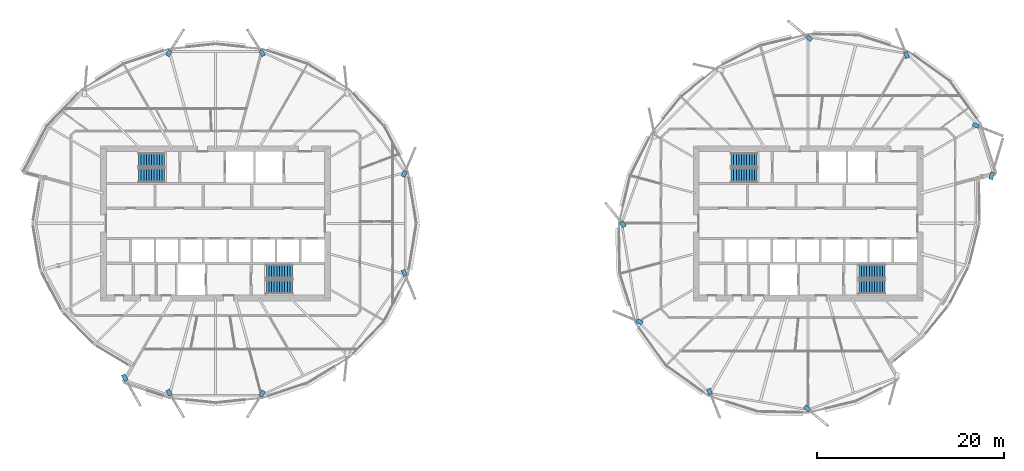
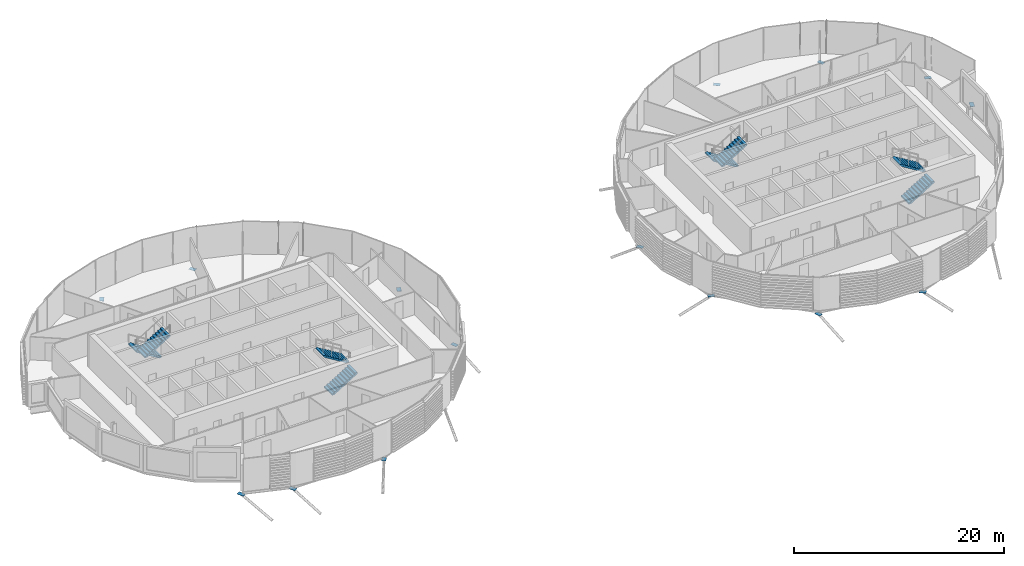
# One storey, part 24 of 36: 15 discrete accessories, 8 stair flights, 4 elements without a shape of their own.
"""IFC4 building model written with IfcOpenShell, lengths in metres."""

from ifc_helpers import new_model, si_unit, direction, frame, origin, origin_2d, place, context, subcontext, project, spatial, polyline, rectangle, outline, extrude, material, material_profile, profile_set, type_object, element, aggregate, save


model = new_model("IFC4")

# Units and contexts
model_context = context("Model", 3, precision=1e-05, world=origin(), true_north=direction((0.0, 1.0)))
body_context = subcontext(model_context, "Body", "Model", "MODEL_VIEW")
ifc_project = project(units=[si_unit("LENGTHUNIT", "METRE"), si_unit("AREAUNIT", "SQUARE_METRE"), si_unit("VOLUMEUNIT", "CUBIC_METRE"), si_unit("PLANEANGLEUNIT", "RADIAN"), si_unit("MASSUNIT", "GRAM", prefix="KILO")], contexts=[model_context])

# Site, building, storey
site_placement = place(None, origin())
site = spatial("IfcSite", under=ifc_project, at=site_placement, CompositionType="ELEMENT")
building_placement = place(site_placement, origin())
building = spatial("IfcBuilding", under=site, at=building_placement, Name="Rimbun Link Towers", CompositionType="ELEMENT")
storey_placement = place(building_placement, frame((0.0, 0.0, 200.699951171875)))
storey = spatial("IfcBuildingStorey", under=building, at=storey_placement, Name="L49", CompositionType="ELEMENT", Elevation=200.699951171875)

# Stair, stair flights
ifc_material_1 = material(Name="Concrete C40/50", Category="concrete")
stair_type = type_object("IfcStairType", Name="Exit stair 3800 rise", PredefinedType="HALF_TURN_STAIR", material=ifc_material_1)
stair_1_placement = place(storey_placement, origin())
stair_1 = element("IfcStair", 1, at=stair_1_placement, inside=storey, type_object=stair_type, Name="L49 EXIT STAIR A", PredefinedType="HALF_TURN_STAIR")
ifc_material_2 = material(Name="Concrete C40/50", Category="concrete")
stair_flight_type = type_object("IfcStairFlightType", Name="Exit stair flight 3800 rise", PredefinedType="STRAIGHT", material=ifc_material_2)
stair_flight_1_placement = place(storey_placement, frame((-37.199951171875, 6.800048828125, 0.0), z_axis=(0.0, 0.0, 1.0), x_axis=(-1.0, 0.0, 0.0)))
stair_flight_1 = element("IfcStairFlight", 2, at=stair_flight_1_placement, type_object=stair_flight_type, Name="ST1 flight 1", NumberOfRisers=11, NumberOfTreads=10, PredefinedType="STRAIGHT", RiserHeight=0.172727273, TreadLength=0.28, context=body_context, shape_type="SweptSolid", body=[
    extrude(outline(polyline([(0.0, 0.0), (0.0, 0.172607421875), (0.280029296875, 0.172607421875), (0.280029296875, 0.345458984375), (0.56005859375, 0.345458984375), (0.56005859375, 0.51806640625), (0.840087890625, 0.51806640625), (0.840087890625, 0.69091796875), (1.1201171875, 0.69091796875), (1.1201171875, 0.863525390625), (1.39990234375, 0.863525390625), (1.39990234375, 1.036376953125), (1.679931640625, 1.036376953125), (1.679931640625, 1.208984375), (1.9599609375, 1.208984375), (1.9599609375, 1.3818359375), (2.239990234375, 1.3818359375), (2.239990234375, 1.554443359375), (2.52001953125, 1.554443359375), (2.52001953125, 1.727294921875), (2.800048828125, 1.727294921875), (2.800048828125, 1.89990234375), (2.800048828125, 1.551025390625), (0.280029296875, 0.0), (0.0, 0.0)])), frame((0.0, 0.75, 0.0), z_axis=(0.0, -1.0, 0.0), x_axis=(1.0, 0.0, 0.0)), (0.0, 0.0, 1.0), 1.5),
])
stair_flight_2_placement = place(storey_placement, frame((-40.0, 5.14990234375, 1.900146484375), z_axis=(0.0, 0.0, 1.0), x_axis=(1.0, 0.0, 0.0)))
stair_flight_2 = element("IfcStairFlight", 3, at=stair_flight_2_placement, type_object=stair_flight_type, Name="ST1 flight 2", NumberOfRisers=11, NumberOfTreads=10, PredefinedType="STRAIGHT", RiserHeight=0.172727273, TreadLength=0.28, context=body_context, shape_type="SweptSolid", body=[
    extrude(outline(polyline([(0.0, 0.0), (0.0, 0.172607421875), (0.280029296875, 0.172607421875), (0.280029296875, 0.345458984375), (0.56005859375, 0.345458984375), (0.56005859375, 0.51806640625), (0.840087890625, 0.51806640625), (0.840087890625, 0.69091796875), (1.1201171875, 0.69091796875), (1.1201171875, 0.863525390625), (1.39990234375, 0.863525390625), (1.39990234375, 1.036376953125), (1.679931640625, 1.036376953125), (1.679931640625, 1.208984375), (1.9599609375, 1.208984375), (1.9599609375, 1.3818359375), (2.239990234375, 1.3818359375), (2.239990234375, 1.554443359375), (2.52001953125, 1.554443359375), (2.52001953125, 1.727294921875), (2.800048828125, 1.727294921875), (2.800048828125, 1.89990234375), (2.800048828125, 1.551025390625), (0.280029296875, 0.0), (0.0, 0.0)])), frame((0.0, 0.75, 0.0), z_axis=(0.0, -1.0, 0.0), x_axis=(1.0, 0.0, 0.0)), (0.0, 0.0, 1.0), 1.5),
])
aggregate(stair_1, [stair_flight_1, stair_flight_2])

stair_2_placement = place(storey_placement, origin())
stair_2 = element("IfcStair", 4, at=stair_2_placement, inside=storey, type_object=stair_type, Name="L49 EXIT STAIR B", PredefinedType="HALF_TURN_STAIR")
stair_flight_3_placement = place(storey_placement, frame((-26.300048828125, -6.800048828125, 0.0), z_axis=(0.0, 0.0, 1.0), x_axis=(1.0, 0.0, 0.0)))
stair_flight_3 = element("IfcStairFlight", 5, at=stair_flight_3_placement, type_object=stair_flight_type, Name="ST2 flight 1", NumberOfRisers=11, NumberOfTreads=10, PredefinedType="STRAIGHT", RiserHeight=0.172727273, TreadLength=0.28, context=body_context, shape_type="SweptSolid", body=[
    extrude(outline(polyline([(0.0, 0.0), (0.0, 0.172607421875), (0.280029296875, 0.172607421875), (0.280029296875, 0.345458984375), (0.56005859375, 0.345458984375), (0.56005859375, 0.51806640625), (0.840087890625, 0.51806640625), (0.840087890625, 0.69091796875), (1.1201171875, 0.69091796875), (1.1201171875, 0.863525390625), (1.39990234375, 0.863525390625), (1.39990234375, 1.036376953125), (1.679931640625, 1.036376953125), (1.679931640625, 1.208984375), (1.9599609375, 1.208984375), (1.9599609375, 1.3818359375), (2.239990234375, 1.3818359375), (2.239990234375, 1.554443359375), (2.52001953125, 1.554443359375), (2.52001953125, 1.727294921875), (2.800048828125, 1.727294921875), (2.800048828125, 1.89990234375), (2.800048828125, 1.551025390625), (0.280029296875, 0.0), (0.0, 0.0)])), frame((0.0, 0.75, 0.0), z_axis=(0.0, -1.0, 0.0), x_axis=(1.0, 0.0, 0.0)), (0.0, 0.0, 1.0), 1.5),
])
stair_flight_4_placement = place(storey_placement, frame((-23.5, -5.14990234375, 1.900146484375), z_axis=(0.0, 0.0, 1.0), x_axis=(-1.0, 0.0, 0.0)))
stair_flight_4 = element("IfcStairFlight", 6, at=stair_flight_4_placement, type_object=stair_flight_type, Name="ST2 flight 2", NumberOfRisers=11, NumberOfTreads=10, PredefinedType="STRAIGHT", RiserHeight=0.172727273, TreadLength=0.28, context=body_context, shape_type="SweptSolid", body=[
    extrude(outline(polyline([(0.0, 0.0), (0.0, 0.172607421875), (0.280029296875, 0.172607421875), (0.280029296875, 0.345458984375), (0.56005859375, 0.345458984375), (0.56005859375, 0.51806640625), (0.840087890625, 0.51806640625), (0.840087890625, 0.69091796875), (1.1201171875, 0.69091796875), (1.1201171875, 0.863525390625), (1.39990234375, 0.863525390625), (1.39990234375, 1.036376953125), (1.679931640625, 1.036376953125), (1.679931640625, 1.208984375), (1.9599609375, 1.208984375), (1.9599609375, 1.3818359375), (2.239990234375, 1.3818359375), (2.239990234375, 1.554443359375), (2.52001953125, 1.554443359375), (2.52001953125, 1.727294921875), (2.800048828125, 1.727294921875), (2.800048828125, 1.89990234375), (2.800048828125, 1.551025390625), (0.280029296875, 0.0), (0.0, 0.0)])), frame((0.0, 0.75, 0.0), z_axis=(0.0, -1.0, 0.0), x_axis=(1.0, 0.0, 0.0)), (0.0, 0.0, 1.0), 1.5),
])
aggregate(stair_2, [stair_flight_3, stair_flight_4])

stair_3_placement = place(storey_placement, origin())
stair_3 = element("IfcStair", 7, at=stair_3_placement, inside=storey, type_object=stair_type, Name="L49 EXIT STAIR A", PredefinedType="HALF_TURN_STAIR")
stair_flight_5_placement = place(storey_placement, frame((26.300048828125, 6.800048828125, 0.0), z_axis=(0.0, 0.0, 1.0), x_axis=(-1.0, 0.0, 0.0)))
stair_flight_5 = element("IfcStairFlight", 8, at=stair_flight_5_placement, type_object=stair_flight_type, Name="ST3 flight 1", NumberOfRisers=11, NumberOfTreads=10, PredefinedType="STRAIGHT", RiserHeight=0.172727273, TreadLength=0.28, context=body_context, shape_type="SweptSolid", body=[
    extrude(outline(polyline([(0.0, 0.0), (0.0, 0.172607421875), (0.280029296875, 0.172607421875), (0.280029296875, 0.345458984375), (0.56005859375, 0.345458984375), (0.56005859375, 0.51806640625), (0.840087890625, 0.51806640625), (0.840087890625, 0.69091796875), (1.1201171875, 0.69091796875), (1.1201171875, 0.863525390625), (1.39990234375, 0.863525390625), (1.39990234375, 1.036376953125), (1.679931640625, 1.036376953125), (1.679931640625, 1.208984375), (1.9599609375, 1.208984375), (1.9599609375, 1.3818359375), (2.239990234375, 1.3818359375), (2.239990234375, 1.554443359375), (2.52001953125, 1.554443359375), (2.52001953125, 1.727294921875), (2.800048828125, 1.727294921875), (2.800048828125, 1.89990234375), (2.800048828125, 1.551025390625), (0.280029296875, 0.0), (0.0, 0.0)])), frame((0.0, 0.75, 0.0), z_axis=(0.0, -1.0, 0.0), x_axis=(1.0, 0.0, 0.0)), (0.0, 0.0, 1.0), 1.5),
])
stair_flight_6_placement = place(storey_placement, frame((23.5, 5.14990234375, 1.900146484375), z_axis=(0.0, 0.0, 1.0), x_axis=(1.0, 0.0, 0.0)))
stair_flight_6 = element("IfcStairFlight", 9, at=stair_flight_6_placement, type_object=stair_flight_type, Name="ST3 flight 2", NumberOfRisers=11, NumberOfTreads=10, PredefinedType="STRAIGHT", RiserHeight=0.172727273, TreadLength=0.28, context=body_context, shape_type="SweptSolid", body=[
    extrude(outline(polyline([(0.0, 0.0), (0.0, 0.172607421875), (0.280029296875, 0.172607421875), (0.280029296875, 0.345458984375), (0.56005859375, 0.345458984375), (0.56005859375, 0.51806640625), (0.840087890625, 0.51806640625), (0.840087890625, 0.69091796875), (1.1201171875, 0.69091796875), (1.1201171875, 0.863525390625), (1.39990234375, 0.863525390625), (1.39990234375, 1.036376953125), (1.679931640625, 1.036376953125), (1.679931640625, 1.208984375), (1.9599609375, 1.208984375), (1.9599609375, 1.3818359375), (2.239990234375, 1.3818359375), (2.239990234375, 1.554443359375), (2.52001953125, 1.554443359375), (2.52001953125, 1.727294921875), (2.800048828125, 1.727294921875), (2.800048828125, 1.89990234375), (2.800048828125, 1.551025390625), (0.280029296875, 0.0), (0.0, 0.0)])), frame((0.0, 0.75, 0.0), z_axis=(0.0, -1.0, 0.0), x_axis=(1.0, 0.0, 0.0)), (0.0, 0.0, 1.0), 1.5),
])
aggregate(stair_3, [stair_flight_5, stair_flight_6])

stair_4_placement = place(storey_placement, origin())
stair_4 = element("IfcStair", 10, at=stair_4_placement, inside=storey, type_object=stair_type, Name="L49 EXIT STAIR B", PredefinedType="HALF_TURN_STAIR")
stair_flight_7_placement = place(storey_placement, frame((37.199951171875, -6.800048828125, 0.0), z_axis=(0.0, 0.0, 1.0), x_axis=(1.0, 0.0, 0.0)))
stair_flight_7 = element("IfcStairFlight", 11, at=stair_flight_7_placement, type_object=stair_flight_type, Name="ST4 flight 1", NumberOfRisers=11, NumberOfTreads=10, PredefinedType="STRAIGHT", RiserHeight=0.172727273, TreadLength=0.28, context=body_context, shape_type="SweptSolid", body=[
    extrude(outline(polyline([(0.0, 0.0), (0.0, 0.172607421875), (0.280029296875, 0.172607421875), (0.280029296875, 0.345458984375), (0.56005859375, 0.345458984375), (0.56005859375, 0.51806640625), (0.840087890625, 0.51806640625), (0.840087890625, 0.69091796875), (1.1201171875, 0.69091796875), (1.1201171875, 0.863525390625), (1.39990234375, 0.863525390625), (1.39990234375, 1.036376953125), (1.679931640625, 1.036376953125), (1.679931640625, 1.208984375), (1.9599609375, 1.208984375), (1.9599609375, 1.3818359375), (2.239990234375, 1.3818359375), (2.239990234375, 1.554443359375), (2.52001953125, 1.554443359375), (2.52001953125, 1.727294921875), (2.800048828125, 1.727294921875), (2.800048828125, 1.89990234375), (2.800048828125, 1.551025390625), (0.280029296875, 0.0), (0.0, 0.0)])), frame((0.0, 0.75, 0.0), z_axis=(0.0, -1.0, 0.0), x_axis=(1.0, 0.0, 0.0)), (0.0, 0.0, 1.0), 1.5),
])
stair_flight_8_placement = place(storey_placement, frame((40.0, -5.14990234375, 1.900146484375), z_axis=(0.0, 0.0, 1.0), x_axis=(-1.0, 0.0, 0.0)))
stair_flight_8 = element("IfcStairFlight", 12, at=stair_flight_8_placement, type_object=stair_flight_type, Name="ST4 flight 2", NumberOfRisers=11, NumberOfTreads=10, PredefinedType="STRAIGHT", RiserHeight=0.172727273, TreadLength=0.28, context=body_context, shape_type="SweptSolid", body=[
    extrude(outline(polyline([(0.0, 0.0), (0.0, 0.172607421875), (0.280029296875, 0.172607421875), (0.280029296875, 0.345458984375), (0.56005859375, 0.345458984375), (0.56005859375, 0.51806640625), (0.840087890625, 0.51806640625), (0.840087890625, 0.69091796875), (1.1201171875, 0.69091796875), (1.1201171875, 0.863525390625), (1.39990234375, 0.863525390625), (1.39990234375, 1.036376953125), (1.679931640625, 1.036376953125), (1.679931640625, 1.208984375), (1.9599609375, 1.208984375), (1.9599609375, 1.3818359375), (2.239990234375, 1.3818359375), (2.239990234375, 1.554443359375), (2.52001953125, 1.554443359375), (2.52001953125, 1.727294921875), (2.800048828125, 1.727294921875), (2.800048828125, 1.89990234375), (2.800048828125, 1.551025390625), (0.280029296875, 0.0), (0.0, 0.0)])), frame((0.0, 0.75, 0.0), z_axis=(0.0, -1.0, 0.0), x_axis=(1.0, 0.0, 0.0)), (0.0, 0.0, 1.0), 1.5),
])
aggregate(stair_4, [stair_flight_7, stair_flight_8])

# Discrete accessories
ifc_material_3 = material(Name="Steel S355J2H", Category="steel")
ifc_material_profile = material_profile(ifc_material_3, rectangle(XDim=0.43310546875, YDim=0.43310546875, at=origin_2d()), Name="PL 433x433")
ifc_profile_set = profile_set([ifc_material_profile], Name="Steel S355J2H")
discrete_accessory_type = type_object("IfcDiscreteAccessoryType", Name="Link head end plate 433X20", PredefinedType="BRACKET", material=ifc_profile_set)
discrete_accessory_1_placement = place(storey_placement, frame((0.0, 0.0, -0.623291015625)))
element("IfcDiscreteAccessory", 13, at=discrete_accessory_1_placement, inside=storey, type_object=discrete_accessory_type, Name="Link head end plate T1 L49 01", PredefinedType="BRACKET", context=body_context, shape_type="SweptSolid", body=[
    extrude(outline(polyline([(-11.452880859375, 4.91162109375), (-11.197509765625, 5.521240234375), (-11.5966796875, 5.688720703125), (-11.852294921875, 5.0791015625), (-11.452880859375, 4.91162109375)])), origin(), (0.0, 0.0, 1.0), 0.02001953125),
])
discrete_accessory_2_placement = place(storey_placement, frame((0.0, 0.0, -0.7724609375)))
element("IfcDiscreteAccessory", 14, at=discrete_accessory_2_placement, inside=storey, type_object=discrete_accessory_type, Name="Link head end plate T1 L49 05", PredefinedType="BRACKET", context=body_context, shape_type="SweptSolid", body=[
    extrude(outline(polyline([(-26.388427734375, 18.068359375), (-26.7451171875, 18.634033203125), (-27.111328125, 18.403076171875), (-26.754638671875, 17.83740234375), (-26.388427734375, 18.068359375)])), origin(), (0.0, 0.0, 1.0), 0.02001953125),
])
discrete_accessory_3_placement = place(storey_placement, frame((0.0, 0.0, -0.7724609375)))
element("IfcDiscreteAccessory", 15, at=discrete_accessory_3_placement, inside=storey, type_object=discrete_accessory_type, Name="Link head end plate T1 L49 07", PredefinedType="BRACKET", context=body_context, shape_type="SweptSolid", body=[
    extrude(outline(polyline([(-36.745361328125, 17.83740234375), (-36.388671875, 18.403076171875), (-36.7548828125, 18.634033203125), (-37.111572265625, 18.068359375), (-36.745361328125, 17.83740234375)])), origin(), (0.0, 0.0, 1.0), 0.02001953125),
])
discrete_accessory_4_placement = place(storey_placement, frame((0.0, 0.0, -0.703125)))
element("IfcDiscreteAccessory", 16, at=discrete_accessory_4_placement, inside=storey, type_object=discrete_accessory_type, Name="Link head end plate T1 L49 16", PredefinedType="BRACKET", context=body_context, shape_type="SweptSolid", body=[
    extrude(outline(polyline([(-41.857177734375, -16.324951171875), (-41.4951171875, -16.969482421875), (-41.11767578125, -16.757568359375), (-41.4794921875, -16.113037109375), (-41.857177734375, -16.324951171875)])), origin(), (0.0, 0.0, 1.0), 0.02001953125),
])
discrete_accessory_5_placement = place(storey_placement, frame((0.0, 0.0, -0.7724609375)))
element("IfcDiscreteAccessory", 17, at=discrete_accessory_5_placement, inside=storey, type_object=discrete_accessory_type, Name="Link head end plate T1 L49 17", PredefinedType="BRACKET", context=body_context, shape_type="SweptSolid", body=[
    extrude(outline(polyline([(-37.086181640625, -17.965576171875), (-36.7373046875, -18.544921875), (-36.366455078125, -18.321533203125), (-36.715087890625, -17.7421875), (-37.086181640625, -17.965576171875)])), origin(), (0.0, 0.0, 1.0), 0.02001953125),
])
discrete_accessory_6_placement = place(storey_placement, frame((0.0, 0.0, -0.7724609375)))
element("IfcDiscreteAccessory", 18, at=discrete_accessory_6_placement, inside=storey, type_object=discrete_accessory_type, Name="Link head end plate T1 L49 19", PredefinedType="BRACKET", context=body_context, shape_type="SweptSolid", body=[
    extrude(outline(polyline([(-26.754638671875, -17.83740234375), (-27.111328125, -18.403076171875), (-26.7451171875, -18.634033203125), (-26.388427734375, -18.068359375), (-26.754638671875, -17.83740234375)])), origin(), (0.0, 0.0, 1.0), 0.02001953125),
])
discrete_accessory_7_placement = place(storey_placement, frame((0.0, 0.0, -0.623291015625)))
element("IfcDiscreteAccessory", 19, at=discrete_accessory_7_placement, inside=storey, type_object=discrete_accessory_type, Name="Link head end plate T1 L49 23", PredefinedType="BRACKET", context=body_context, shape_type="SweptSolid", body=[
    extrude(outline(polyline([(-11.852294921875, -5.0791015625), (-11.5966796875, -5.688720703125), (-11.197509765625, -5.521240234375), (-11.452880859375, -4.91162109375), (-11.852294921875, -5.0791015625)])), origin(), (0.0, 0.0, 1.0), 0.02001953125),
])
discrete_accessory_8_placement = place(storey_placement, frame((0.0, 0.0, -0.7724609375)))
element("IfcDiscreteAccessory", 20, at=discrete_accessory_8_placement, inside=storey, type_object=discrete_accessory_type, Name="Link head end plate T2 L49 01", PredefinedType="BRACKET", context=body_context, shape_type="SweptSolid", body=[
    extrude(outline(polyline([(42.629638671875, 17.810791015625), (42.381591796875, 18.43505859375), (41.97900390625, 18.275146484375), (42.227294921875, 17.65087890625), (42.629638671875, 17.810791015625)])), origin(), (0.0, 0.0, 1.0), 0.02001953125),
])
discrete_accessory_9_placement = place(storey_placement, frame((0.0, 0.0, -0.7724609375)))
element("IfcDiscreteAccessory", 21, at=discrete_accessory_9_placement, inside=storey, type_object=discrete_accessory_type, Name="Link head end plate T2 L49 03", PredefinedType="BRACKET", context=body_context, shape_type="SweptSolid", body=[
    extrude(outline(polyline([(32.253662109375, 19.79248046875), (31.745361328125, 20.212890625), (31.46923828125, 19.87939453125), (31.9775390625, 19.458740234375), (32.253662109375, 19.79248046875)])), origin(), (0.0, 0.0, 1.0), 0.02001953125),
])
discrete_accessory_10_placement = place(storey_placement, frame((0.0, 0.0, -0.576416015625)))
element("IfcDiscreteAccessory", 22, at=discrete_accessory_10_placement, inside=storey, type_object=discrete_accessory_type, Name="Link head end plate T2 L49 09", PredefinedType="BRACKET", context=body_context, shape_type="SweptSolid", body=[
    extrude(outline(polyline([(12.279296875, -0.22265625), (11.873779296875, 0.28076171875), (11.53662109375, 0.009033203125), (11.94189453125, -0.494384765625), (12.279296875, -0.22265625)])), origin(), (0.0, 0.0, 1.0), 0.02001953125),
])
discrete_accessory_11_placement = place(storey_placement, frame((0.0, 0.0, -0.576416015625)))
element("IfcDiscreteAccessory", 23, at=discrete_accessory_11_placement, inside=storey, type_object=discrete_accessory_type, Name="Link head end plate T2 L49 11", PredefinedType="BRACKET", context=body_context, shape_type="SweptSolid", body=[
    extrude(outline(polyline([(14.085693359375, -10.478515625), (13.4775390625, -10.2275390625), (13.3125, -10.6279296875), (13.920654296875, -10.87890625), (14.085693359375, -10.478515625)])), origin(), (0.0, 0.0, 1.0), 0.02001953125),
])
discrete_accessory_12_placement = place(storey_placement, frame((0.0, 0.0, -0.7724609375)))
element("IfcDiscreteAccessory", 24, at=discrete_accessory_12_placement, inside=storey, type_object=discrete_accessory_type, Name="Link head end plate T2 L49 13", PredefinedType="BRACKET", context=body_context, shape_type="SweptSolid", body=[
    extrude(outline(polyline([(20.870361328125, -17.810791015625), (21.118408203125, -18.43505859375), (21.52099609375, -18.275146484375), (21.272705078125, -17.65087890625), (20.870361328125, -17.810791015625)])), origin(), (0.0, 0.0, 1.0), 0.02001953125),
])
discrete_accessory_13_placement = place(storey_placement, frame((0.0, 0.0, -0.7724609375)))
element("IfcDiscreteAccessory", 25, at=discrete_accessory_13_placement, inside=storey, type_object=discrete_accessory_type, Name="Link head end plate T2 L49 15", PredefinedType="BRACKET", context=body_context, shape_type="SweptSolid", body=[
    extrude(outline(polyline([(31.246337890625, -19.79248046875), (31.754638671875, -20.212890625), (32.03076171875, -19.87939453125), (31.5224609375, -19.458740234375), (31.246337890625, -19.79248046875)])), origin(), (0.0, 0.0, 1.0), 0.02001953125),
])
discrete_accessory_14_placement = place(storey_placement, frame((0.0, 0.0, -1.0107421875)))
element("IfcDiscreteAccessory", 26, at=discrete_accessory_14_placement, inside=storey, type_object=discrete_accessory_type, Name="Link head end plate T2 L49 22", PredefinedType="BRACKET", context=body_context, shape_type="SweptSolid", body=[
    extrude(outline(polyline([(51.526123046875, 4.661865234375), (51.74658203125, 5.39892578125), (51.33154296875, 5.52294921875), (51.111328125, 4.785888671875), (51.526123046875, 4.661865234375)])), origin(), (0.0, 0.0, 1.0), 0.02001953125),
])
discrete_accessory_15_placement = place(storey_placement, frame((0.0, 0.0, -0.576416015625)))
element("IfcDiscreteAccessory", 27, at=discrete_accessory_15_placement, inside=storey, type_object=discrete_accessory_type, Name="Link head end plate T2 L49 23", PredefinedType="BRACKET", context=body_context, shape_type="SweptSolid", body=[
    extrude(outline(polyline([(49.32861328125, 10.42333984375), (49.9482421875, 10.183837890625), (50.1044921875, 10.587646484375), (49.48486328125, 10.8271484375), (49.32861328125, 10.42333984375)])), origin(), (0.0, 0.0, 1.0), 0.02001953125),
])

save(model, "model.ifc")
